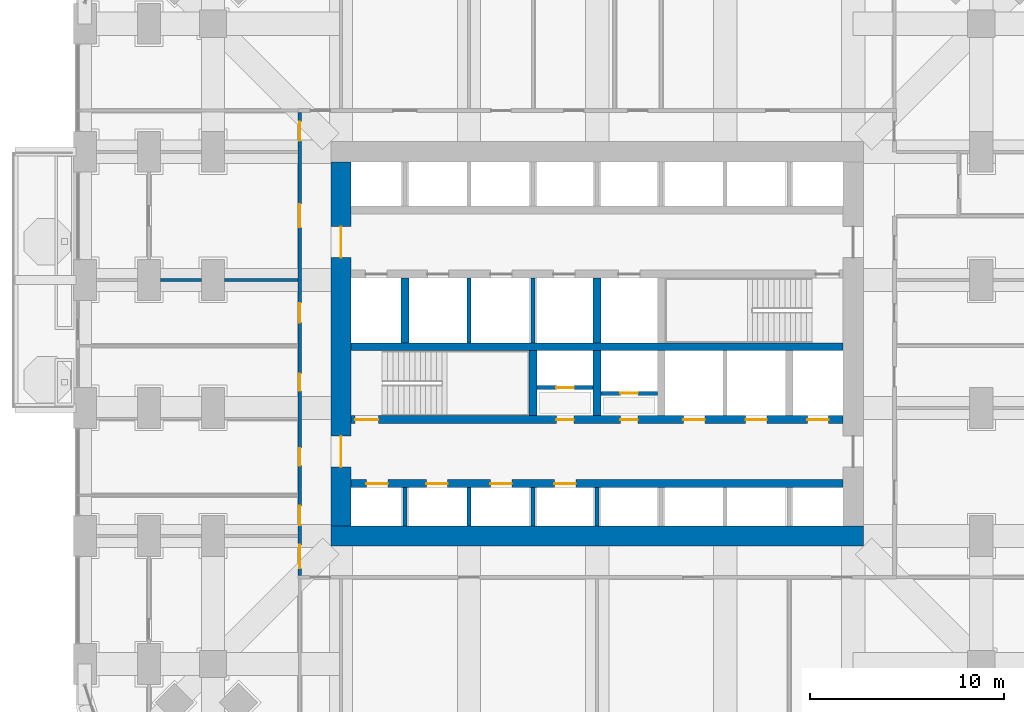
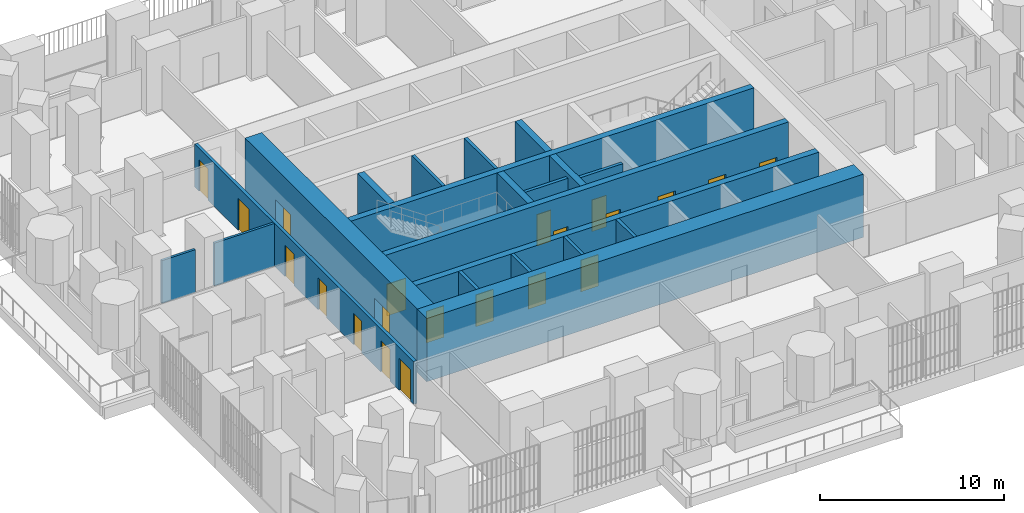
# One storey, part 18 of 26: 21 doors, 20 walls, 21 openings.
"""IFC4 building model written with IfcOpenShell, lengths in metres."""

from ifc_helpers import new_model, si_unit, direction, frame, frame_2d, origin, place, context, subcontext, project, spatial, rectangle, extrude, material, layer, layer_set, type_object, element, fill, save


model = new_model("IFC4")

# Units and contexts
model_context = context("Model", 3, precision=1e-05, world=origin(), true_north=direction((0.0, 1.0)))
body_context = subcontext(model_context, "Body", "Model", "MODEL_VIEW")
ifc_project = project(units=[si_unit("LENGTHUNIT", "METRE"), si_unit("AREAUNIT", "SQUARE_METRE"), si_unit("VOLUMEUNIT", "CUBIC_METRE"), si_unit("PLANEANGLEUNIT", "RADIAN"), si_unit("MASSUNIT", "GRAM", prefix="KILO")], contexts=[model_context])

# Site, building, storey
site_placement = place(None, origin())
site = spatial("IfcSite", under=ifc_project, at=site_placement, CompositionType="ELEMENT")
building_placement = place(site_placement, origin())
building = spatial("IfcBuilding", under=site, at=building_placement, Name="Cobogo Forest Laboratory Tower", CompositionType="ELEMENT")
storey_placement = place(building_placement, frame((0.0, 0.0, 25.5)))
storey = spatial("IfcBuildingStorey", under=building, at=storey_placement, Name="L05", CompositionType="ELEMENT", Elevation=25.5)

# Wall, openings, doors
ifc_material_1 = material(Name="Concrete HA-50 (C50/60)", Category="concrete")
ifc_layer_1 = layer(ifc_material_1, 0.39990234375)
ifc_layer_set_1 = layer_set([ifc_layer_1], Name="CI400 core inner wall 400")
wall_type_1 = type_object("IfcWallType", Name="CI400 core inner wall 400", PredefinedType="SHEAR", material=ifc_layer_set_1)
wall_1_placement = place(storey_placement, frame((13.72509765625, 15.89990234375, 0.0), z_axis=(0.0, 0.0, 1.0), x_axis=(1.0, 0.0, 0.0)))
wall_1 = element("IfcWall", 1, at=wall_1_placement, inside=storey, type_object=wall_type_1, Name="Core wall CI-15.9 L05", PredefinedType="SHEAR", context=body_context, shape_type="SweptSolid", body=[
    extrude(rectangle(XDim=25.349853515625, YDim=0.39990234375, at=frame_2d((12.6748046875, 0.0))), origin(), (0.0, 0.0, 1.0), 4.199951171875),
])
opening_1_placement = place(wall_1_placement, frame((0.78759765625, 0.0, 0.0)))
opening_1 = element("IfcOpeningElement", 2, at=opening_1_placement, cuts=wall_1, Name="Opening L05-LD-LA1", PredefinedType="OPENING", context=body_context, shape_type="SweptSolid", body=[
    extrude(rectangle(XDim=1.10009765625, YDim=2.10009765625, at=frame_2d((0.550048828125, 1.050048828125))), frame((0.0, 0.2099609375, 0.0), z_axis=(0.0, -1.0, 0.0), x_axis=(1.0, 0.0, 0.0)), (0.0, 0.0, 1.0), 0.419921875),
])
opening_2_placement = place(wall_1_placement, frame((3.875, 0.0, 0.0)))
opening_2 = element("IfcOpeningElement", 3, at=opening_2_placement, cuts=wall_1, Name="Opening L05-LD-LA2", PredefinedType="OPENING", context=body_context, shape_type="SweptSolid", body=[
    extrude(rectangle(XDim=1.10009765625, YDim=2.10009765625, at=frame_2d((0.550048828125, 1.050048828125))), frame((0.0, 0.2099609375, 0.0), z_axis=(0.0, -1.0, 0.0), x_axis=(1.0, 0.0, 0.0)), (0.0, 0.0, 1.0), 0.419921875),
])
opening_3_placement = place(wall_1_placement, frame((7.175048828125, 0.0, 0.0)))
opening_3 = element("IfcOpeningElement", 4, at=opening_3_placement, cuts=wall_1, Name="Opening L05-LD-LA3", PredefinedType="OPENING", context=body_context, shape_type="SweptSolid", body=[
    extrude(rectangle(XDim=1.10009765625, YDim=2.10009765625, at=frame_2d((0.550048828125, 1.050048828125))), frame((0.0, 0.2099609375, 0.0), z_axis=(0.0, -1.0, 0.0), x_axis=(1.0, 0.0, 0.0)), (0.0, 0.0, 1.0), 0.419921875),
])
opening_4_placement = place(wall_1_placement, frame((10.47509765625, 0.0, 0.0)))
opening_4 = element("IfcOpeningElement", 5, at=opening_4_placement, cuts=wall_1, Name="Opening L05-LD-LA4", PredefinedType="OPENING", context=body_context, shape_type="SweptSolid", body=[
    extrude(rectangle(XDim=1.10009765625, YDim=2.10009765625, at=frame_2d((0.550048828125, 1.050048828125))), frame((0.0, 0.2099609375, 0.0), z_axis=(0.0, -1.0, 0.0), x_axis=(1.0, 0.0, 0.0)), (0.0, 0.0, 1.0), 0.419921875),
])
ifc_material_2 = material(Name="Stainless steel lift door", Category="steel")
door_type_1 = type_object("IfcDoorType", Name="LD lift landing door 1100", OperationType="DOUBLE_DOOR_SLIDING", PredefinedType="DOOR", material=ifc_material_2)
door_1_placement = place(opening_1_placement, origin())
door_1 = element("IfcDoor", 6, at=door_1_placement, inside=storey, type_object=door_type_1, Name="Lift landing door LA1 L05", OperationType="DOUBLE_DOOR_SLIDING", OverallHeight=2.10009765625, OverallWidth=1.10009765625, PredefinedType="DOOR", context=body_context, shape_type="SweptSolid", body=[
    extrude(rectangle(XDim=1.10009765625, YDim=2.10009765625, at=frame_2d((0.550048828125, 1.050048828125))), frame((0.0, 0.02490234375, 0.0), z_axis=(0.0, -1.0, 0.0), x_axis=(1.0, 0.0, 0.0)), (0.0, 0.0, 1.0), 0.050048828125),
])
fill(opening_1, door_1)
door_2_placement = place(opening_2_placement, origin())
door_2 = element("IfcDoor", 7, at=door_2_placement, inside=storey, type_object=door_type_1, Name="Lift landing door LA2 L05", OperationType="DOUBLE_DOOR_SLIDING", OverallHeight=2.10009765625, OverallWidth=1.10009765625, PredefinedType="DOOR", context=body_context, shape_type="SweptSolid", body=[
    extrude(rectangle(XDim=1.10009765625, YDim=2.10009765625, at=frame_2d((0.550048828125, 1.050048828125))), frame((0.0, 0.02490234375, 0.0), z_axis=(0.0, -1.0, 0.0), x_axis=(1.0, 0.0, 0.0)), (0.0, 0.0, 1.0), 0.050048828125),
])
fill(opening_2, door_2)
door_3_placement = place(opening_3_placement, origin())
door_3 = element("IfcDoor", 8, at=door_3_placement, inside=storey, type_object=door_type_1, Name="Lift landing door LA3 L05", OperationType="DOUBLE_DOOR_SLIDING", OverallHeight=2.10009765625, OverallWidth=1.10009765625, PredefinedType="DOOR", context=body_context, shape_type="SweptSolid", body=[
    extrude(rectangle(XDim=1.10009765625, YDim=2.10009765625, at=frame_2d((0.550048828125, 1.050048828125))), frame((0.0, 0.02490234375, 0.0), z_axis=(0.0, -1.0, 0.0), x_axis=(1.0, 0.0, 0.0)), (0.0, 0.0, 1.0), 0.050048828125),
])
fill(opening_3, door_3)
door_4_placement = place(opening_4_placement, origin())
door_4 = element("IfcDoor", 9, at=door_4_placement, inside=storey, type_object=door_type_1, Name="Lift landing door LA4 L05", OperationType="DOUBLE_DOOR_SLIDING", OverallHeight=2.10009765625, OverallWidth=1.10009765625, PredefinedType="DOOR", context=body_context, shape_type="SweptSolid", body=[
    extrude(rectangle(XDim=1.10009765625, YDim=2.10009765625, at=frame_2d((0.550048828125, 1.050048828125))), frame((0.0, 0.02490234375, 0.0), z_axis=(0.0, -1.0, 0.0), x_axis=(1.0, 0.0, 0.0)), (0.0, 0.0, 1.0), 0.050048828125),
])
fill(opening_4, door_4)

wall_2_placement = place(storey_placement, frame((13.72509765625, 19.199951171875, 0.0), z_axis=(0.0, 0.0, 1.0), x_axis=(1.0, 0.0, 0.0)))
wall_2 = element("IfcWall", 10, at=wall_2_placement, inside=storey, type_object=wall_type_1, Name="Core wall CI-19.2 L05", PredefinedType="SHEAR", context=body_context, shape_type="SweptSolid", body=[
    extrude(rectangle(XDim=25.349853515625, YDim=0.39990234375, at=frame_2d((12.6748046875, 0.0))), origin(), (0.0, 0.0, 1.0), 4.199951171875),
])
opening_5_placement = place(wall_2_placement, frame((10.574951171875, 0.0, 0.0)))
opening_5 = element("IfcOpeningElement", 11, at=opening_5_placement, cuts=wall_2, Name="Opening L05-D18", PredefinedType="OPENING", context=body_context, shape_type="SweptSolid", body=[
    extrude(rectangle(XDim=0.89990234375, YDim=2.10009765625, at=frame_2d((0.449951171875, 1.050048828125))), frame((0.0, 0.2099609375, 0.0), z_axis=(0.0, -1.0, 0.0), x_axis=(1.0, 0.0, 0.0)), (0.0, 0.0, 1.0), 0.419921875),
])
opening_6_placement = place(wall_2_placement, frame((13.875, 0.0, 0.0)))
opening_6 = element("IfcOpeningElement", 12, at=opening_6_placement, cuts=wall_2, Name="Opening L05-D19", PredefinedType="OPENING", context=body_context, shape_type="SweptSolid", body=[
    extrude(rectangle(XDim=0.89990234375, YDim=2.10009765625, at=frame_2d((0.449951171875, 1.050048828125))), frame((0.0, 0.2099609375, 0.0), z_axis=(0.0, -1.0, 0.0), x_axis=(1.0, 0.0, 0.0)), (0.0, 0.0, 1.0), 0.419921875),
])
opening_7_placement = place(wall_2_placement, frame((0.199951171875, 0.0, 0.0)))
opening_7 = element("IfcOpeningElement", 13, at=opening_7_placement, cuts=wall_2, Name="Opening L05-D17", PredefinedType="OPENING", context=body_context, shape_type="SweptSolid", body=[
    extrude(rectangle(XDim=1.199951171875, YDim=2.10009765625, at=frame_2d((0.60009765625, 1.050048828125))), frame((0.0, 0.2099609375, 0.0), z_axis=(0.0, -1.0, 0.0), x_axis=(1.0, 0.0, 0.0)), (0.0, 0.0, 1.0), 0.419921875),
])
opening_8_placement = place(wall_2_placement, frame((23.512451171875, 0.0, 0.0)))
opening_8 = element("IfcOpeningElement", 14, at=opening_8_placement, cuts=wall_2, Name="Opening L05-LD-FL2", PredefinedType="OPENING", context=body_context, shape_type="SweptSolid", body=[
    extrude(rectangle(XDim=1.10009765625, YDim=2.10009765625, at=frame_2d((0.550048828125, 1.050048828125))), frame((0.0, 0.2099609375, 0.0), z_axis=(0.0, -1.0, 0.0), x_axis=(1.0, 0.0, 0.0)), (0.0, 0.0, 1.0), 0.419921875),
])
opening_9_placement = place(wall_2_placement, frame((17.125, 0.0, 0.0)))
opening_9 = element("IfcOpeningElement", 15, at=opening_9_placement, cuts=wall_2, Name="Opening L05-LD-LS1", PredefinedType="OPENING", context=body_context, shape_type="SweptSolid", body=[
    extrude(rectangle(XDim=1.10009765625, YDim=2.10009765625, at=frame_2d((0.550048828125, 1.050048828125))), frame((0.0, 0.2099609375, 0.0), z_axis=(0.0, -1.0, 0.0), x_axis=(1.0, 0.0, 0.0)), (0.0, 0.0, 1.0), 0.419921875),
])
opening_10_placement = place(wall_2_placement, frame((20.324951171875, 0.0, 0.0)))
opening_10 = element("IfcOpeningElement", 16, at=opening_10_placement, cuts=wall_2, Name="Opening L05-LD-LS2", PredefinedType="OPENING", context=body_context, shape_type="SweptSolid", body=[
    extrude(rectangle(XDim=1.10009765625, YDim=2.10009765625, at=frame_2d((0.550048828125, 1.050048828125))), frame((0.0, 0.2099609375, 0.0), z_axis=(0.0, -1.0, 0.0), x_axis=(1.0, 0.0, 0.0)), (0.0, 0.0, 1.0), 0.419921875),
])
ifc_material_3 = material(Name="Steel fire door", Category="steel")
door_type_2 = type_object("IfcDoorType", Name="DS1 protected stair door 1200 EI2 60", OperationType="SINGLE_SWING_LEFT", PredefinedType="DOOR", material=ifc_material_3)
door_5_placement = place(opening_7_placement, origin())
door_5 = element("IfcDoor", 17, at=door_5_placement, inside=storey, type_object=door_type_2, Name="Door L05-ST1", OperationType="SINGLE_SWING_LEFT", OverallHeight=2.10009765625, OverallWidth=1.199951171875, PredefinedType="DOOR", context=body_context, shape_type="SweptSolid", body=[
    extrude(rectangle(XDim=1.199951171875, YDim=2.10009765625, at=frame_2d((0.60009765625, 1.050048828125))), frame((0.0, 0.02490234375, 0.0), z_axis=(0.0, -1.0, 0.0), x_axis=(1.0, 0.0, 0.0)), (0.0, 0.0, 1.0), 0.050048828125),
])
fill(opening_7, door_5)
door_type_3 = type_object("IfcDoorType", Name="FD4 riser access door 900 EI2 60", OperationType="SINGLE_SWING_LEFT", PredefinedType="DOOR", material=ifc_material_3)
door_6_placement = place(opening_5_placement, origin())
door_6 = element("IfcDoor", 18, at=door_6_placement, inside=storey, type_object=door_type_3, Name="Door L05-R1V", OperationType="SINGLE_SWING_LEFT", OverallHeight=2.10009765625, OverallWidth=0.89990234375, PredefinedType="DOOR", context=body_context, shape_type="SweptSolid", body=[
    extrude(rectangle(XDim=0.89990234375, YDim=2.10009765625, at=frame_2d((0.449951171875, 1.050048828125))), frame((0.0, 0.02490234375, 0.0), z_axis=(0.0, -1.0, 0.0), x_axis=(1.0, 0.0, 0.0)), (0.0, 0.0, 1.0), 0.050048828125),
])
fill(opening_5, door_6)
door_7_placement = place(opening_6_placement, origin())
door_7 = element("IfcDoor", 19, at=door_7_placement, inside=storey, type_object=door_type_3, Name="Door L05-R2V", OperationType="SINGLE_SWING_RIGHT", OverallHeight=2.10009765625, OverallWidth=0.89990234375, PredefinedType="DOOR", context=body_context, shape_type="SweptSolid", body=[
    extrude(rectangle(XDim=0.89990234375, YDim=2.10009765625, at=frame_2d((0.449951171875, 1.050048828125))), frame((0.0, 0.02490234375, 0.0), z_axis=(0.0, -1.0, 0.0), x_axis=(1.0, 0.0, 0.0)), (0.0, 0.0, 1.0), 0.050048828125),
])
fill(opening_6, door_7)
door_8_placement = place(opening_8_placement, origin())
door_8 = element("IfcDoor", 20, at=door_8_placement, inside=storey, type_object=door_type_1, Name="Lift landing door FL2 L05", OperationType="DOUBLE_DOOR_SLIDING", OverallHeight=2.10009765625, OverallWidth=1.10009765625, PredefinedType="DOOR", context=body_context, shape_type="SweptSolid", body=[
    extrude(rectangle(XDim=1.10009765625, YDim=2.10009765625, at=frame_2d((0.550048828125, 1.050048828125))), frame((0.0, 0.02490234375, 0.0), z_axis=(0.0, -1.0, 0.0), x_axis=(1.0, 0.0, 0.0)), (0.0, 0.0, 1.0), 0.050048828125),
])
fill(opening_8, door_8)
door_9_placement = place(opening_9_placement, origin())
door_9 = element("IfcDoor", 21, at=door_9_placement, inside=storey, type_object=door_type_1, Name="Lift landing door LS1 L05", OperationType="DOUBLE_DOOR_SLIDING", OverallHeight=2.10009765625, OverallWidth=1.10009765625, PredefinedType="DOOR", context=body_context, shape_type="SweptSolid", body=[
    extrude(rectangle(XDim=1.10009765625, YDim=2.10009765625, at=frame_2d((0.550048828125, 1.050048828125))), frame((0.0, 0.02490234375, 0.0), z_axis=(0.0, -1.0, 0.0), x_axis=(1.0, 0.0, 0.0)), (0.0, 0.0, 1.0), 0.050048828125),
])
fill(opening_9, door_9)
door_10_placement = place(opening_10_placement, origin())
door_10 = element("IfcDoor", 22, at=door_10_placement, inside=storey, type_object=door_type_1, Name="Lift landing door LS2 L05", OperationType="DOUBLE_DOOR_SLIDING", OverallHeight=2.10009765625, OverallWidth=1.10009765625, PredefinedType="DOOR", context=body_context, shape_type="SweptSolid", body=[
    extrude(rectangle(XDim=1.10009765625, YDim=2.10009765625, at=frame_2d((0.550048828125, 1.050048828125))), frame((0.0, 0.02490234375, 0.0), z_axis=(0.0, -1.0, 0.0), x_axis=(1.0, 0.0, 0.0)), (0.0, 0.0, 1.0), 0.050048828125),
])
fill(opening_10, door_10)

# Walls
wall_3_placement = place(storey_placement, frame((13.72509765625, 22.949951171875, 0.0), z_axis=(0.0, 0.0, 1.0), x_axis=(1.0, 0.0, 0.0)))
element("IfcWall", 23, at=wall_3_placement, inside=storey, type_object=wall_type_1, Name="Core wall CI-22.95 L05", PredefinedType="SHEAR", context=body_context, shape_type="SweptSolid", body=[
    extrude(rectangle(XDim=25.349853515625, YDim=0.39990234375, at=frame_2d((12.6748046875, 0.0))), origin(), (0.0, 0.0, 1.0), 4.199951171875),
])
for number, where, z_axis, x_axis, name in (
    (24, (23.10009765625, 19.39990234375, 0.0), (0.0, 0.0, 1.0), (0.0, 1.0, 0.0), "Core wall CX-23.1 L05"),
    (25, (26.39990234375, 19.39990234375, 0.0), (0.0, 0.0, 1.0), (0.0, 1.0, 0.0), "Core wall CX-26.4S L05"),
    (26, (16.5, 23.14990234375, 0.0), (0.0, 0.0, 1.0), (0.0, 1.0, 0.0), "Core wall CX-16.5 L05"),
    (27, (26.39990234375, 23.14990234375, 0.0), (0.0, 0.0, 1.0), (0.0, 1.0, 0.0), "Core wall CX-26.4N L05"),
):
    element("IfcWall", number, at=place(storey_placement, frame(where, z_axis=z_axis, x_axis=x_axis)), inside=storey, type_object=wall_type_1, Name=name, PredefinedType="SHEAR", context=body_context, shape_type="SweptSolid", body=[
        extrude(rectangle(XDim=3.35009765625, YDim=0.39990234375, at=frame_2d((1.675048828125, 0.0))), origin(), (0.0, 0.0, 1.0), 4.199951171875),
    ])
ifc_layer_2 = layer(ifc_material_1, 1.050048828125)
ifc_layer_set_2 = layer_set([ifc_layer_2], Name="CW1050 core outer wall 1050")
wall_type_2 = type_object("IfcWallType", Name="CW1050 core outer wall 1050", PredefinedType="SHEAR", material=ifc_layer_set_2)
wall_4_placement = place(storey_placement, frame((12.675048828125, 13.199951171875, 0.0), z_axis=(0.0, 0.0, 1.0), x_axis=(1.0, 0.0, 0.0)))
element("IfcWall", 28, at=wall_4_placement, inside=storey, type_object=wall_type_2, Name="Core wall CO-S L05", PredefinedType="SHEAR", context=body_context, shape_type="SweptSolid", body=[
    extrude(rectangle(XDim=27.449951171875, YDim=1.050048828125, at=frame_2d((13.72509765625, 0.0))), origin(), (0.0, 0.0, 1.0), 4.199951171875),
])

# Wall, openings, doors
wall_5_placement = place(storey_placement, frame((13.199951171875, 32.47509765625, 0.0), z_axis=(0.0, 0.0, 1.0), x_axis=(0.0, -1.0, 0.0)))
wall_5 = element("IfcWall", 29, at=wall_5_placement, inside=storey, type_object=wall_type_2, Name="Core wall CO-W L05", PredefinedType="SHEAR", context=body_context, shape_type="SweptSolid", body=[
    extrude(rectangle(XDim=18.75, YDim=1.050048828125, at=frame_2d((9.375, 0.0))), origin(), (0.0, 0.0, 1.0), 4.199951171875),
])
opening_11_placement = place(wall_5_placement, frame((14.125, 0.0, 0.0)))
opening_11 = element("IfcOpeningElement", 30, at=opening_11_placement, cuts=wall_5, Name="Opening L05-D15", PredefinedType="OPENING", context=body_context, shape_type="SweptSolid", body=[
    extrude(rectangle(XDim=1.60009765625, YDim=2.10009765625, at=frame_2d((0.800048828125, 1.050048828125))), frame((0.0, 0.534912109375, 0.0), z_axis=(0.0, -1.0, 0.0), x_axis=(1.0, 0.0, 0.0)), (0.0, 0.0, 1.0), 1.070068359375),
])
opening_12_placement = place(wall_5_placement, frame((3.324951171875, 0.0, 0.0)))
opening_12 = element("IfcOpeningElement", 31, at=opening_12_placement, cuts=wall_5, Name="Opening L05-D31", PredefinedType="OPENING", context=body_context, shape_type="SweptSolid", body=[
    extrude(rectangle(XDim=1.60009765625, YDim=2.10009765625, at=frame_2d((0.800048828125, 1.050048828125))), frame((0.0, 0.534912109375, 0.0), z_axis=(0.0, -1.0, 0.0), x_axis=(1.0, 0.0, 0.0)), (0.0, 0.0, 1.0), 1.070068359375),
])
door_type_4 = type_object("IfcDoorType", Name="DS2 protected lobby door pair 1600 EI2 60", OperationType="DOUBLE_DOOR_DOUBLE_SWING", PredefinedType="DOOR", material=ifc_material_3)
door_11_placement = place(opening_11_placement, origin())
door_11 = element("IfcDoor", 32, at=door_11_placement, inside=storey, type_object=door_type_4, Name="Door L05-CO-W-S", OperationType="DOUBLE_DOOR_DOUBLE_SWING", OverallHeight=2.10009765625, OverallWidth=1.60009765625, PredefinedType="DOOR", context=body_context, shape_type="SweptSolid", body=[
    extrude(rectangle(XDim=1.60009765625, YDim=2.10009765625, at=frame_2d((0.800048828125, 1.050048828125))), frame((0.0, 0.02490234375, 0.0), z_axis=(0.0, -1.0, 0.0), x_axis=(1.0, 0.0, 0.0)), (0.0, 0.0, 1.0), 0.050048828125),
])
fill(opening_11, door_11)
door_12_placement = place(opening_12_placement, origin())
door_12 = element("IfcDoor", 33, at=door_12_placement, inside=storey, type_object=door_type_4, Name="Door L05-CO-W-N", OperationType="DOUBLE_DOOR_DOUBLE_SWING", OverallHeight=2.10009765625, OverallWidth=1.60009765625, PredefinedType="DOOR", context=body_context, shape_type="SweptSolid", body=[
    extrude(rectangle(XDim=1.60009765625, YDim=2.10009765625, at=frame_2d((0.800048828125, 1.050048828125))), frame((0.0, 0.02490234375, 0.0), z_axis=(0.0, -1.0, 0.0), x_axis=(1.0, 0.0, 0.0)), (0.0, 0.0, 1.0), 0.050048828125),
])
fill(opening_12, door_12)

# Walls
ifc_material_4 = material(Name="Gypsum board on steel studs", Category="steel")
ifc_layer_3 = layer(ifc_material_4, 0.14990234375)
ifc_layer_set_3 = layer_set([ifc_layer_3], Name="PT1 laboratory partition 150")
wall_type_3 = type_object("IfcWallType", Name="PT1 laboratory partition 150", PredefinedType="PARTITIONING", material=ifc_layer_set_3)
wall_6_placement = place(storey_placement, frame((3.89990234375, 26.39990234375, 0.0), z_axis=(0.0, 0.0, 1.0), x_axis=(1.0, 0.0, 0.0)))
element("IfcWall", 34, at=wall_6_placement, inside=storey, type_object=wall_type_3, Name="Partition CUT-W26.4-2 L05", PredefinedType="PARTITIONING", context=body_context, shape_type="SweptSolid", body=[
    extrude(rectangle(XDim=2.10009765625, YDim=0.14990234375, at=frame_2d((1.050048828125, 0.0))), origin(), (0.0, 0.0, 1.0), 2.85009765625),
])
wall_7_placement = place(storey_placement, frame((7.199951171875, 26.39990234375, 0.0), z_axis=(0.0, 0.0, 1.0), x_axis=(1.0, 0.0, 0.0)))
element("IfcWall", 35, at=wall_7_placement, inside=storey, type_object=wall_type_3, Name="Partition CUT-W26.4-3 L05", PredefinedType="PARTITIONING", context=body_context, shape_type="SweptSolid", body=[
    extrude(rectangle(XDim=3.775146484375, YDim=0.14990234375, at=frame_2d((1.8876953125, 0.0))), origin(), (0.0, 0.0, 1.0), 2.85009765625),
])

# Wall, openings, doors
ifc_layer_4 = layer(ifc_material_4, 0.199951171875)
ifc_layer_set_4 = layer_set([ifc_layer_4], Name="PT2 fire-rated corridor partition 200")
wall_type_4 = type_object("IfcWallType", Name="PT2 fire-rated corridor partition 200", PredefinedType="PARTITIONING", material=ifc_layer_set_4)
wall_8_placement = place(storey_placement, frame((11.074951171875, 11.175048828125, 0.0), z_axis=(0.0, 0.0, 1.0), x_axis=(0.0, 1.0, 0.0)))
wall_8 = element("IfcWall", 36, at=wall_8_placement, inside=storey, type_object=wall_type_4, Name="Partition CORR-W L05", PredefinedType="PARTITIONING", context=body_context, shape_type="SweptSolid", body=[
    extrude(rectangle(XDim=23.849853515625, YDim=0.199951171875, at=frame_2d((11.9248046875, 0.0))), origin(), (0.0, 0.0, 1.0), 2.85009765625),
])
opening_13_placement = place(wall_8_placement, frame((0.362548828125, 0.0, 0.0)))
opening_13 = element("IfcOpeningElement", 37, at=opening_13_placement, cuts=wall_8, Name="Opening L05-D10", PredefinedType="OPENING", context=body_context, shape_type="SweptSolid", body=[
    extrude(rectangle(XDim=1.199951171875, YDim=2.10009765625, at=frame_2d((0.60009765625, 1.050048828125))), frame((0.0, 0.10986328125, 0.0), z_axis=(0.0, -1.0, 0.0), x_axis=(1.0, 0.0, 0.0)), (0.0, 0.0, 1.0), 0.219970703125),
])
opening_14_placement = place(wall_8_placement, frame((2.574951171875, 0.0, 0.0)))
opening_14 = element("IfcOpeningElement", 38, at=opening_14_placement, cuts=wall_8, Name="Opening L05-D11", PredefinedType="OPENING", context=body_context, shape_type="SweptSolid", body=[
    extrude(rectangle(XDim=1.0, YDim=2.10009765625, at=frame_2d((0.5, 1.050048828125))), frame((0.0, 0.10986328125, 0.0), z_axis=(0.0, -1.0, 0.0), x_axis=(1.0, 0.0, 0.0)), (0.0, 0.0, 1.0), 0.219970703125),
])
opening_15_placement = place(wall_8_placement, frame((5.64990234375, 0.0, 0.0)))
opening_15 = element("IfcOpeningElement", 39, at=opening_15_placement, cuts=wall_8, Name="Opening L05-D14", PredefinedType="OPENING", context=body_context, shape_type="SweptSolid", body=[
    extrude(rectangle(XDim=0.89990234375, YDim=2.10009765625, at=frame_2d((0.449951171875, 1.050048828125))), frame((0.0, 0.10986328125, 0.0), z_axis=(0.0, -1.0, 0.0), x_axis=(1.0, 0.0, 0.0)), (0.0, 0.0, 1.0), 0.219970703125),
])
opening_16_placement = place(wall_8_placement, frame((9.5, 0.0, 0.0)))
opening_16 = element("IfcOpeningElement", 40, at=opening_16_placement, cuts=wall_8, Name="Opening L05-D22", PredefinedType="OPENING", context=body_context, shape_type="SweptSolid", body=[
    extrude(rectangle(XDim=0.89990234375, YDim=2.10009765625, at=frame_2d((0.449951171875, 1.050048828125))), frame((0.0, 0.10986328125, 0.0), z_axis=(0.0, -1.0, 0.0), x_axis=(1.0, 0.0, 0.0)), (0.0, 0.0, 1.0), 0.219970703125),
])
opening_17_placement = place(wall_8_placement, frame((13.02490234375, 0.0, 0.0)))
opening_17 = element("IfcOpeningElement", 41, at=opening_17_placement, cuts=wall_8, Name="Opening L05-D26", PredefinedType="OPENING", context=body_context, shape_type="SweptSolid", body=[
    extrude(rectangle(XDim=1.0, YDim=2.10009765625, at=frame_2d((0.5, 1.050048828125))), frame((0.0, 0.10986328125, 0.0), z_axis=(0.0, -1.0, 0.0), x_axis=(1.0, 0.0, 0.0)), (0.0, 0.0, 1.0), 0.219970703125),
])
opening_18_placement = place(wall_8_placement, frame((17.925048828125, 0.0, 0.0)))
opening_18 = element("IfcOpeningElement", 42, at=opening_18_placement, cuts=wall_8, Name="Opening L05-D34", PredefinedType="OPENING", context=body_context, shape_type="SweptSolid", body=[
    extrude(rectangle(XDim=1.199951171875, YDim=2.10009765625, at=frame_2d((0.60009765625, 1.050048828125))), frame((0.0, 0.10986328125, 0.0), z_axis=(0.0, -1.0, 0.0), x_axis=(1.0, 0.0, 0.0)), (0.0, 0.0, 1.0), 0.219970703125),
])
opening_19_placement = place(wall_8_placement, frame((22.387451171875, 0.0, 0.0)))
opening_19 = element("IfcOpeningElement", 43, at=opening_19_placement, cuts=wall_8, Name="Opening L05-D37", PredefinedType="OPENING", context=body_context, shape_type="SweptSolid", body=[
    extrude(rectangle(XDim=1.0, YDim=2.10009765625, at=frame_2d((0.5, 1.050048828125))), frame((0.0, 0.10986328125, 0.0), z_axis=(0.0, -1.0, 0.0), x_axis=(1.0, 0.0, 0.0)), (0.0, 0.0, 1.0), 0.219970703125),
])
ifc_material_5 = material(Name="Timber door", Category="wood")
door_type_5 = type_object("IfcDoorType", Name="D2 laboratory door 1200 unequal pair", OperationType="DOUBLE_DOOR_SINGLE_SWING", PredefinedType="DOOR", material=ifc_material_5)
door_13_placement = place(opening_13_placement, origin())
door_13 = element("IfcDoor", 44, at=door_13_placement, inside=storey, type_object=door_type_5, Name="Door L05-W1", OperationType="DOUBLE_DOOR_SINGLE_SWING", OverallHeight=2.10009765625, OverallWidth=1.199951171875, PredefinedType="DOOR", context=body_context, shape_type="SweptSolid", body=[
    extrude(rectangle(XDim=1.199951171875, YDim=2.10009765625, at=frame_2d((0.60009765625, 1.050048828125))), frame((0.0, 0.02490234375, 0.0), z_axis=(0.0, -1.0, 0.0), x_axis=(1.0, 0.0, 0.0)), (0.0, 0.0, 1.0), 0.050048828125),
])
fill(opening_13, door_13)
door_14_placement = place(opening_18_placement, origin())
door_14 = element("IfcDoor", 45, at=door_14_placement, inside=storey, type_object=door_type_5, Name="Door L05-W3", OperationType="DOUBLE_DOOR_SINGLE_SWING", OverallHeight=2.10009765625, OverallWidth=1.199951171875, PredefinedType="DOOR", context=body_context, shape_type="SweptSolid", body=[
    extrude(rectangle(XDim=1.199951171875, YDim=2.10009765625, at=frame_2d((0.60009765625, 1.050048828125))), frame((0.0, 0.02490234375, 0.0), z_axis=(0.0, -1.0, 0.0), x_axis=(1.0, 0.0, 0.0)), (0.0, 0.0, 1.0), 0.050048828125),
])
fill(opening_18, door_14)
ifc_material_6 = material(Name="Timber fire door", Category="wood")
door_type_6 = type_object("IfcDoorType", Name="FD2 fire door 1000 EI2 30", OperationType="SINGLE_SWING_LEFT", PredefinedType="DOOR", material=ifc_material_6)
door_15_placement = place(opening_17_placement, origin())
door_15 = element("IfcDoor", 46, at=door_15_placement, inside=storey, type_object=door_type_6, Name="Door L05-SHW", OperationType="SINGLE_SWING_RIGHT", OverallHeight=2.10009765625, OverallWidth=1.0, PredefinedType="DOOR", context=body_context, shape_type="SweptSolid", body=[
    extrude(rectangle(XDim=1.0, YDim=2.10009765625, at=frame_2d((0.5, 1.050048828125))), frame((0.0, 0.02490234375, 0.0), z_axis=(0.0, -1.0, 0.0), x_axis=(1.0, 0.0, 0.0)), (0.0, 0.0, 1.0), 0.050048828125),
])
fill(opening_17, door_15)
door_16_placement = place(opening_19_placement, origin())
door_16 = element("IfcDoor", 47, at=door_16_placement, inside=storey, type_object=door_type_6, Name="Door L05-W4", OperationType="SINGLE_SWING_RIGHT", OverallHeight=2.10009765625, OverallWidth=1.0, PredefinedType="DOOR", context=body_context, shape_type="SweptSolid", body=[
    extrude(rectangle(XDim=1.0, YDim=2.10009765625, at=frame_2d((0.5, 1.050048828125))), frame((0.0, 0.02490234375, 0.0), z_axis=(0.0, -1.0, 0.0), x_axis=(1.0, 0.0, 0.0)), (0.0, 0.0, 1.0), 0.050048828125),
])
fill(opening_19, door_16)
door_type_7 = type_object("IfcDoorType", Name="FD3 toilet fire door 900 EI2 30", OperationType="SINGLE_SWING_LEFT", PredefinedType="DOOR", material=ifc_material_6)
door_17_placement = place(opening_15_placement, origin())
door_17 = element("IfcDoor", 48, at=door_17_placement, inside=storey, type_object=door_type_7, Name="Door L05-WCF", OperationType="SINGLE_SWING_LEFT", OverallHeight=2.10009765625, OverallWidth=0.89990234375, PredefinedType="DOOR", context=body_context, shape_type="SweptSolid", body=[
    extrude(rectangle(XDim=0.89990234375, YDim=2.10009765625, at=frame_2d((0.449951171875, 1.050048828125))), frame((0.0, 0.02490234375, 0.0), z_axis=(0.0, -1.0, 0.0), x_axis=(1.0, 0.0, 0.0)), (0.0, 0.0, 1.0), 0.050048828125),
])
fill(opening_15, door_17)
door_18_placement = place(opening_16_placement, origin())
door_18 = element("IfcDoor", 49, at=door_18_placement, inside=storey, type_object=door_type_7, Name="Door L05-WCM", OperationType="SINGLE_SWING_LEFT", OverallHeight=2.10009765625, OverallWidth=0.89990234375, PredefinedType="DOOR", context=body_context, shape_type="SweptSolid", body=[
    extrude(rectangle(XDim=0.89990234375, YDim=2.10009765625, at=frame_2d((0.449951171875, 1.050048828125))), frame((0.0, 0.02490234375, 0.0), z_axis=(0.0, -1.0, 0.0), x_axis=(1.0, 0.0, 0.0)), (0.0, 0.0, 1.0), 0.050048828125),
])
fill(opening_16, door_18)
door_type_8 = type_object("IfcDoorType", Name="FDA1 accessible toilet fire door 1000 EI2 30", OperationType="SINGLE_SWING_RIGHT", PredefinedType="DOOR", material=ifc_material_6)
door_19_placement = place(opening_14_placement, origin())
door_19 = element("IfcDoor", 50, at=door_19_placement, inside=storey, type_object=door_type_8, Name="Door L05-WCA", OperationType="SINGLE_SWING_LEFT", OverallHeight=2.10009765625, OverallWidth=1.0, PredefinedType="DOOR", context=body_context, shape_type="SweptSolid", body=[
    extrude(rectangle(XDim=1.0, YDim=2.10009765625, at=frame_2d((0.5, 1.050048828125))), frame((0.0, 0.02490234375, 0.0), z_axis=(0.0, -1.0, 0.0), x_axis=(1.0, 0.0, 0.0)), (0.0, 0.0, 1.0), 0.050048828125),
])
fill(opening_14, door_19)

# Wall, opening, door
wall_9_placement = place(storey_placement, frame((23.300048828125, 20.85009765625, 0.0), z_axis=(0.0, 0.0, 1.0), x_axis=(1.0, 0.0, 0.0)))
wall_9 = element("IfcWall", 51, at=wall_9_placement, inside=storey, type_object=wall_type_4, Name="Partition RSPLIT-R1 L05", PredefinedType="PARTITIONING", context=body_context, shape_type="SweptSolid", body=[
    extrude(rectangle(XDim=2.89990234375, YDim=0.199951171875, at=frame_2d((1.449951171875, 0.0))), origin(), (0.0, 0.0, 1.0), 3.89990234375),
])
opening_20_placement = place(wall_9_placement, frame((1.0, 0.0, 0.0)))
opening_20 = element("IfcOpeningElement", 52, at=opening_20_placement, cuts=wall_9, Name="Opening L05-D21", PredefinedType="OPENING", context=body_context, shape_type="SweptSolid", body=[
    extrude(rectangle(XDim=0.89990234375, YDim=2.10009765625, at=frame_2d((0.449951171875, 1.050048828125))), frame((0.0, 0.10986328125, 0.0), z_axis=(0.0, -1.0, 0.0), x_axis=(1.0, 0.0, 0.0)), (0.0, 0.0, 1.0), 0.219970703125),
])
door_20_placement = place(opening_20_placement, origin())
door_20 = element("IfcDoor", 53, at=door_20_placement, inside=storey, type_object=door_type_3, Name="Door L05-R1", OperationType="SINGLE_SWING_RIGHT", OverallHeight=2.10009765625, OverallWidth=0.89990234375, PredefinedType="DOOR", context=body_context, shape_type="SweptSolid", body=[
    extrude(rectangle(XDim=0.89990234375, YDim=2.10009765625, at=frame_2d((0.449951171875, 1.050048828125))), frame((0.0, 0.02490234375, 0.0), z_axis=(0.0, -1.0, 0.0), x_axis=(1.0, 0.0, 0.0)), (0.0, 0.0, 1.0), 0.050048828125),
])
fill(opening_20, door_20)

wall_10_placement = place(storey_placement, frame((26.60009765625, 20.550048828125, 0.0), z_axis=(0.0, 0.0, 1.0), x_axis=(1.0, 0.0, 0.0)))
wall_10 = element("IfcWall", 54, at=wall_10_placement, inside=storey, type_object=wall_type_4, Name="Partition RSPLIT-R2 L05", PredefinedType="PARTITIONING", context=body_context, shape_type="SweptSolid", body=[
    extrude(rectangle(XDim=2.89990234375, YDim=0.199951171875, at=frame_2d((1.449951171875, 0.0))), origin(), (0.0, 0.0, 1.0), 3.89990234375),
])
opening_21_placement = place(wall_10_placement, frame((1.0, 0.0, 0.0)))
opening_21 = element("IfcOpeningElement", 55, at=opening_21_placement, cuts=wall_10, Name="Opening L05-D20", PredefinedType="OPENING", context=body_context, shape_type="SweptSolid", body=[
    extrude(rectangle(XDim=0.89990234375, YDim=2.10009765625, at=frame_2d((0.449951171875, 1.050048828125))), frame((0.0, 0.10986328125, 0.0), z_axis=(0.0, -1.0, 0.0), x_axis=(1.0, 0.0, 0.0)), (0.0, 0.0, 1.0), 0.219970703125),
])
door_21_placement = place(opening_21_placement, origin())
door_21 = element("IfcDoor", 56, at=door_21_placement, inside=storey, type_object=door_type_3, Name="Door L05-R2", OperationType="SINGLE_SWING_RIGHT", OverallHeight=2.10009765625, OverallWidth=0.89990234375, PredefinedType="DOOR", context=body_context, shape_type="SweptSolid", body=[
    extrude(rectangle(XDim=0.89990234375, YDim=2.10009765625, at=frame_2d((0.449951171875, 1.050048828125))), frame((0.0, 0.02490234375, 0.0), z_axis=(0.0, -1.0, 0.0), x_axis=(1.0, 0.0, 0.0)), (0.0, 0.0, 1.0), 0.050048828125),
])
fill(opening_21, door_21)

# Walls
ifc_material_7 = material(Name="Concrete block", Category="concrete")
ifc_layer_5 = layer(ifc_material_7, 0.199951171875)
ifc_layer_set_5 = layer_set([ifc_layer_5], Name="SW200 lift shaft separator 200")
wall_type_5 = type_object("IfcWallType", Name="SW200 lift shaft separator 200", PredefinedType="PARTITIONING", material=ifc_layer_set_5)
for number, where, z_axis, x_axis, name in (
    (57, (16.5, 13.72509765625, 0.0), (0.0, 0.0, 1.0), (0.0, 1.0, 0.0), "Core wall SEP-S1 L05"),
    (58, (19.800048828125, 13.72509765625, 0.0), (0.0, 0.0, 1.0), (0.0, 1.0, 0.0), "Core wall SEP-S2 L05"),
    (59, (23.10009765625, 13.72509765625, 0.0), (0.0, 0.0, 1.0), (0.0, 1.0, 0.0), "Core wall SEP-S3 L05"),
    (60, (26.39990234375, 13.72509765625, 0.0), (0.0, 0.0, 1.0), (0.0, 1.0, 0.0), "Core wall SEP-S4 L05"),
):
    element("IfcWall", number, at=place(storey_placement, frame(where, z_axis=z_axis, x_axis=x_axis)), inside=storey, type_object=wall_type_5, Name=name, PredefinedType="PARTITIONING", context=body_context, shape_type="SweptSolid", body=[
        extrude(rectangle(XDim=1.974853515625, YDim=0.199951171875, at=frame_2d((0.9873046875, 0.0))), origin(), (0.0, 0.0, 1.0), 4.199951171875),
    ])
for number, where, z_axis, x_axis, name in (
    (61, (19.800048828125, 23.14990234375, 0.0), (0.0, 0.0, 1.0), (0.0, 1.0, 0.0), "Core wall SEP-M19.8 L05"),
    (62, (23.10009765625, 23.14990234375, 0.0), (0.0, 0.0, 1.0), (0.0, 1.0, 0.0), "Core wall SEP-M23.1 L05"),
):
    element("IfcWall", number, at=place(storey_placement, frame(where, z_axis=z_axis, x_axis=x_axis)), inside=storey, type_object=wall_type_5, Name=name, PredefinedType="PARTITIONING", context=body_context, shape_type="SweptSolid", body=[
        extrude(rectangle(XDim=3.35009765625, YDim=0.199951171875, at=frame_2d((1.675048828125, 0.0))), origin(), (0.0, 0.0, 1.0), 4.199951171875),
    ])

save(model, "model.ifc")
